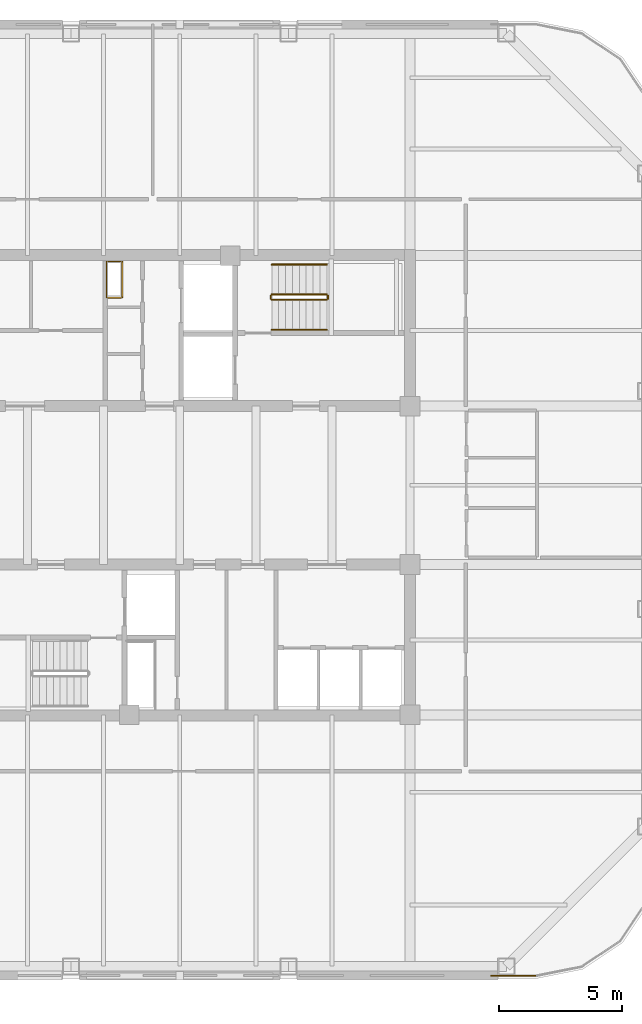
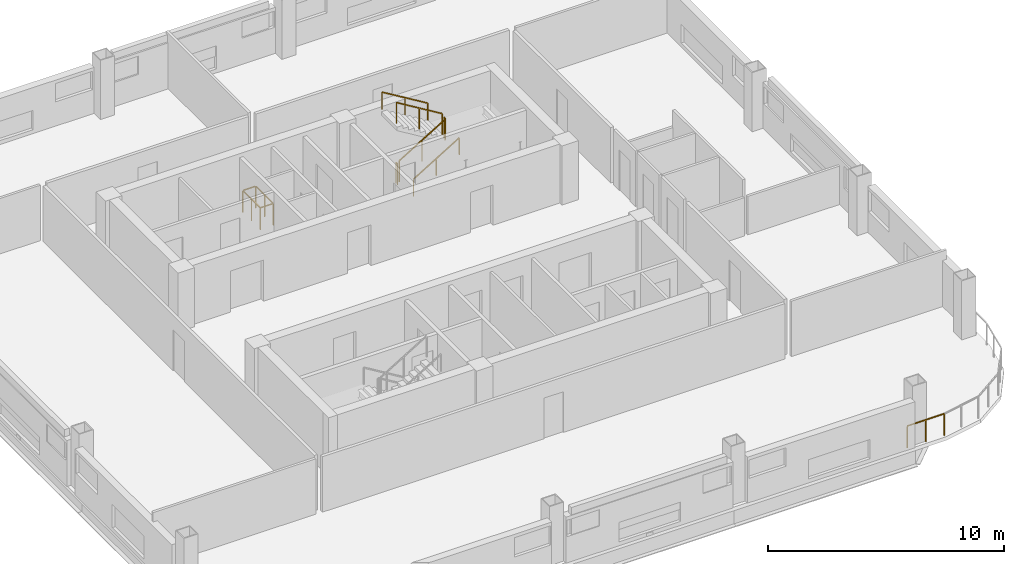
# One storey, part 7 of 8: 8 railings.
"""IFC4 building model written with IfcOpenShell, lengths in metres."""

from ifc_helpers import new_model, si_unit, direction, frame, origin, origin_2d, place, context, subcontext, project, spatial, rectangle, extrude, material, type_object, element, save


model = new_model("IFC4")

# Units and contexts
model_context = context("Model", 3, precision=1e-05, world=origin(), true_north=direction((0.0, 1.0)))
body_context = subcontext(model_context, "Body", "Model", "MODEL_VIEW")
ifc_project = project(units=[si_unit("LENGTHUNIT", "METRE"), si_unit("AREAUNIT", "SQUARE_METRE"), si_unit("VOLUMEUNIT", "CUBIC_METRE"), si_unit("PLANEANGLEUNIT", "RADIAN"), si_unit("MASSUNIT", "GRAM", prefix="KILO")], contexts=[model_context])

# Site, building, storey
site_placement = place(None, origin())
site = spatial("IfcSite", under=ifc_project, at=site_placement, CompositionType="ELEMENT")
building_placement = place(site_placement, origin())
building = spatial("IfcBuilding", under=site, at=building_placement, Name="Qhalaya Broadcast Tower", CompositionType="ELEMENT")
storey_placement = place(building_placement, frame((0.0, 0.0, 202.550048828125)))
storey = spatial("IfcBuildingStorey", under=building, at=storey_placement, Name="L59", CompositionType="ELEMENT", Elevation=202.550048828125)

# Railings
ifc_material = material(Name="Powder-Coated Galvanised Steel", Category="steel")
railing_type_1 = type_object("IfcRailingType", Name="Stair Wall Handrail 900", PredefinedType="HANDRAIL", material=ifc_material)
railing_1_placement = place(storey_placement, frame((3.75, 6.929931640625, 0.16943359375)))
element("IfcRailing", 1, at=railing_1_placement, inside=storey, type_object=railing_type_1, Name="L59 ST-1 Stair Handrail 1", PredefinedType="HANDRAIL", context=body_context, shape_type="SweptSolid", body=[
    extrude(rectangle(XDim=0.048095703125, YDim=0.048095703125, at=origin_2d()), frame((0.0, 0.0, 0.8759765625), z_axis=(0.855553338991, 0.0, 0.51771467445), x_axis=(0.0, 1.0, 0.0)), (0.0, 0.0, 1.0), 2.6181640625),
    extrude(rectangle(XDim=0.0419921875, YDim=0.0419921875, at=origin_2d()), origin(), (0.0, 0.0, 1.0), 0.849853515625),
    extrude(rectangle(XDim=0.0419921875, YDim=0.0419921875, at=origin_2d()), frame((1.1201171875, 0.0, 0.677734375)), (0.0, 0.0, 1.0), 0.849853515625),
    extrude(rectangle(XDim=0.0419921875, YDim=0.0419921875, at=origin_2d()), frame((2.239990234375, 0.0, 1.35546875)), (0.0, 0.0, 1.0), 0.849853515625),
])
railing_2_placement = place(storey_placement, frame((5.989990234375, 9.590087890625, 1.6943359375)))
element("IfcRailing", 2, at=railing_2_placement, inside=storey, type_object=railing_type_1, Name="L59 ST-1 Stair Handrail 2", PredefinedType="HANDRAIL", context=body_context, shape_type="SweptSolid", body=[
    extrude(rectangle(XDim=0.048095703125, YDim=0.048095703125, at=origin_2d()), frame((0.0, 0.0, 0.8759765625), z_axis=(-0.855512035549, 0.0, 0.517782924622), x_axis=(0.0, -1.0, 0.0)), (0.0, 0.0, 1.0), 2.618408203125),
    extrude(rectangle(XDim=0.0419921875, YDim=0.0419921875, at=origin_2d()), origin(), (0.0, 0.0, 1.0), 0.849853515625),
    extrude(rectangle(XDim=0.0419921875, YDim=0.0419921875, at=origin_2d()), frame((-1.1201171875, 0.0, 0.677734375)), (0.0, 0.0, 1.0), 0.849853515625),
    extrude(rectangle(XDim=0.0419921875, YDim=0.0419921875, at=origin_2d()), frame((-2.239990234375, 0.0, 1.355712890625)), (0.0, 0.0, 1.0), 0.849853515625),
])
railing_type_2 = type_object("IfcRailingType", Name="Stair Well & Landing Guardrail 1100", PredefinedType="GUARDRAIL", material=ifc_material)
railing_3_placement = place(storey_placement, frame((-2.340087890625, 8.239990234375, 0.0)))
element("IfcRailing", 3, at=railing_3_placement, inside=storey, type_object=railing_type_2, Name="L59 Service Riser Opening Safety Guard NRSR", PredefinedType="GUARDRAIL", context=body_context, shape_type="SweptSolid", body=[
    extrude(rectangle(XDim=0.048095703125, YDim=0.048095703125, at=origin_2d()), frame((0.0, 0.02880859375, 1.1259765625), z_axis=(0.0, 1.0, 0.0), x_axis=(-1.0, 0.0, 0.0)), (0.0, 0.0, 1.0), 1.42236328125),
    extrude(rectangle(XDim=0.048095703125, YDim=0.048095703125, at=origin_2d()), frame((-0.02880859375, 1.47998046875, 1.1259765625), z_axis=(-1.0, 0.0, 0.0), x_axis=(0.0, -1.0, 0.0)), (0.0, 0.0, 1.0), 0.582275390625),
    extrude(rectangle(XDim=0.048095703125, YDim=0.048095703125, at=origin_2d()), frame((-0.639892578125, 1.451171875, 1.1259765625), z_axis=(0.0, -1.0, 0.0), x_axis=(1.0, 0.0, 0.0)), (0.0, 0.0, 1.0), 1.42236328125),
    extrude(rectangle(XDim=0.048095703125, YDim=0.048095703125, at=origin_2d()), frame((-0.611083984375, 0.0, 1.1259765625), z_axis=(1.0, 0.0, 0.0), x_axis=(0.0, 1.0, 0.0)), (0.0, 0.0, 1.0), 0.582275390625),
    extrude(rectangle(XDim=0.0419921875, YDim=0.0419921875, at=origin_2d()), origin(), (0.0, 0.0, 1.0), 1.099853515625),
    extrude(rectangle(XDim=0.0419921875, YDim=0.0419921875, at=origin_2d()), frame((0.0, 0.739990234375, 0.0)), (0.0, 0.0, 1.0), 1.099853515625),
    extrude(rectangle(XDim=0.0419921875, YDim=0.0419921875, at=origin_2d()), frame((0.0, 1.47998046875, 0.0)), (0.0, 0.0, 1.0), 1.099853515625),
    extrude(rectangle(XDim=0.0419921875, YDim=0.0419921875, at=origin_2d()), frame((-0.639892578125, 1.47998046875, 0.0)), (0.0, 0.0, 1.0), 1.099853515625),
    extrude(rectangle(XDim=0.0419921875, YDim=0.0419921875, at=origin_2d()), frame((-0.639892578125, 0.739990234375, 0.0)), (0.0, 0.0, 1.0), 1.099853515625),
    extrude(rectangle(XDim=0.0419921875, YDim=0.0419921875, at=origin_2d()), frame((-0.639892578125, 0.0, 0.0)), (0.0, 0.0, 1.0), 1.099853515625),
])
railing_4_placement = place(storey_placement, frame((3.75, 8.14990234375, 0.16943359375)))
element("IfcRailing", 4, at=railing_4_placement, inside=storey, type_object=railing_type_2, Name="L59 ST-1 Stair Guard 1", PredefinedType="GUARDRAIL", context=body_context, shape_type="SweptSolid", body=[
    extrude(rectangle(XDim=0.048095703125, YDim=0.048095703125, at=origin_2d()), frame((0.0, 0.0, 1.076171875), z_axis=(0.855553338991, 0.0, 0.51771467445), x_axis=(0.0, 1.0, 0.0)), (0.0, 0.0, 1.0), 2.6181640625),
    extrude(rectangle(XDim=0.0419921875, YDim=0.0419921875, at=origin_2d()), origin(), (0.0, 0.0, 1.0), 1.050048828125),
    extrude(rectangle(XDim=0.0419921875, YDim=0.0419921875, at=origin_2d()), frame((1.1201171875, 0.0, 0.677734375)), (0.0, 0.0, 1.0), 1.050048828125),
    extrude(rectangle(XDim=0.0419921875, YDim=0.0419921875, at=origin_2d()), frame((2.239990234375, 0.0, 1.35546875)), (0.0, 0.0, 1.0), 1.050048828125),
])
railing_5_placement = place(storey_placement, frame((6.0400390625, 8.199951171875, 1.52490234375)))
element("IfcRailing", 5, at=railing_5_placement, inside=storey, type_object=railing_type_2, Name="L59 ST-1 Stair Guard 2", PredefinedType="GUARDRAIL", context=body_context, shape_type="SweptSolid", body=[
    extrude(rectangle(XDim=0.048095703125, YDim=0.048095703125, at=origin_2d()), frame((0.0, 0.0, 1.076171875), z_axis=(0.0, 1.0, 0.0), x_axis=(-1.0, 0.0, 0.0)), (0.0, 0.0, 1.0), 0.1201171875),
    extrude(rectangle(XDim=0.0419921875, YDim=0.0419921875, at=origin_2d()), origin(), (0.0, 0.0, 1.0), 1.050048828125),
    extrude(rectangle(XDim=0.0419921875, YDim=0.0419921875, at=origin_2d()), frame((0.0, 0.1201171875, 0.0)), (0.0, 0.0, 1.0), 1.050048828125),
])
railing_6_placement = place(storey_placement, frame((5.989990234375, 8.3701171875, 1.6943359375)))
element("IfcRailing", 6, at=railing_6_placement, inside=storey, type_object=railing_type_2, Name="L59 ST-1 Stair Guard 3", PredefinedType="GUARDRAIL", context=body_context, shape_type="SweptSolid", body=[
    extrude(rectangle(XDim=0.048095703125, YDim=0.048095703125, at=origin_2d()), frame((0.0, 0.0, 1.076171875), z_axis=(-0.855512035549, 0.0, 0.517782924622), x_axis=(0.0, -1.0, 0.0)), (0.0, 0.0, 1.0), 2.618408203125),
    extrude(rectangle(XDim=0.0419921875, YDim=0.0419921875, at=origin_2d()), origin(), (0.0, 0.0, 1.0), 1.050048828125),
    extrude(rectangle(XDim=0.0419921875, YDim=0.0419921875, at=origin_2d()), frame((-1.1201171875, 0.0, 0.677734375)), (0.0, 0.0, 1.0), 1.050048828125),
    extrude(rectangle(XDim=0.0419921875, YDim=0.0419921875, at=origin_2d()), frame((-2.239990234375, 0.0, 1.355712890625)), (0.0, 0.0, 1.0), 1.050048828125),
])
railing_7_placement = place(storey_placement, frame((3.699951171875, 8.199951171875, 0.0)))
element("IfcRailing", 7, at=railing_7_placement, inside=storey, type_object=railing_type_2, Name="L59 ST-1 Stair Guard 4", PredefinedType="GUARDRAIL", context=body_context, shape_type="SweptSolid", body=[
    extrude(rectangle(XDim=0.048095703125, YDim=0.048095703125, at=origin_2d()), frame((0.0, 0.0, 1.076171875), z_axis=(0.0, 1.0, 0.0), x_axis=(-1.0, 0.0, 0.0)), (0.0, 0.0, 1.0), 0.1201171875),
    extrude(rectangle(XDim=0.0419921875, YDim=0.0419921875, at=origin_2d()), origin(), (0.0, 0.0, 1.0), 1.050048828125),
    extrude(rectangle(XDim=0.0419921875, YDim=0.0419921875, at=origin_2d()), frame((0.0, 0.1201171875, 0.0)), (0.0, 0.0, 1.0), 1.050048828125),
])
railing_type_3 = type_object("IfcRailingType", Name="Terrace, Sky-Pool & Lookout Glass Balustrade 1150", PredefinedType="BALUSTRADE", material=ifc_material)
railing_8_placement = place(storey_placement, frame((14.48828125, -19.3798828125, 0.0)))
element("IfcRailing", 8, at=railing_8_placement, inside=storey, type_object=railing_type_3, Name="L59 Rounded Corner Perimeter Guard 01", PredefinedType="BALUSTRADE", context=body_context, shape_type="SweptSolid", body=[
    extrude(rectangle(XDim=0.048095703125, YDim=0.048095703125, at=origin_2d()), frame((0.0, 0.0, 1.1259765625), z_axis=(-1.0, 0.0, 0.0), x_axis=(0.0, -1.0, 0.0)), (0.0, 0.0, 1.0), 1.806396484375),
    extrude(rectangle(XDim=0.0419921875, YDim=0.0419921875, at=origin_2d()), origin(), (0.0, 0.0, 1.0), 1.099853515625),
    extrude(rectangle(XDim=0.0419921875, YDim=0.0419921875, at=origin_2d()), frame((-0.9033203125, 0.0, 0.0)), (0.0, 0.0, 1.0), 1.099853515625),
    extrude(rectangle(XDim=0.0419921875, YDim=0.0419921875, at=origin_2d()), frame((-1.806396484375, 0.0, 0.0)), (0.0, 0.0, 1.0), 1.099853515625),
])

save(model, "model.ifc")
